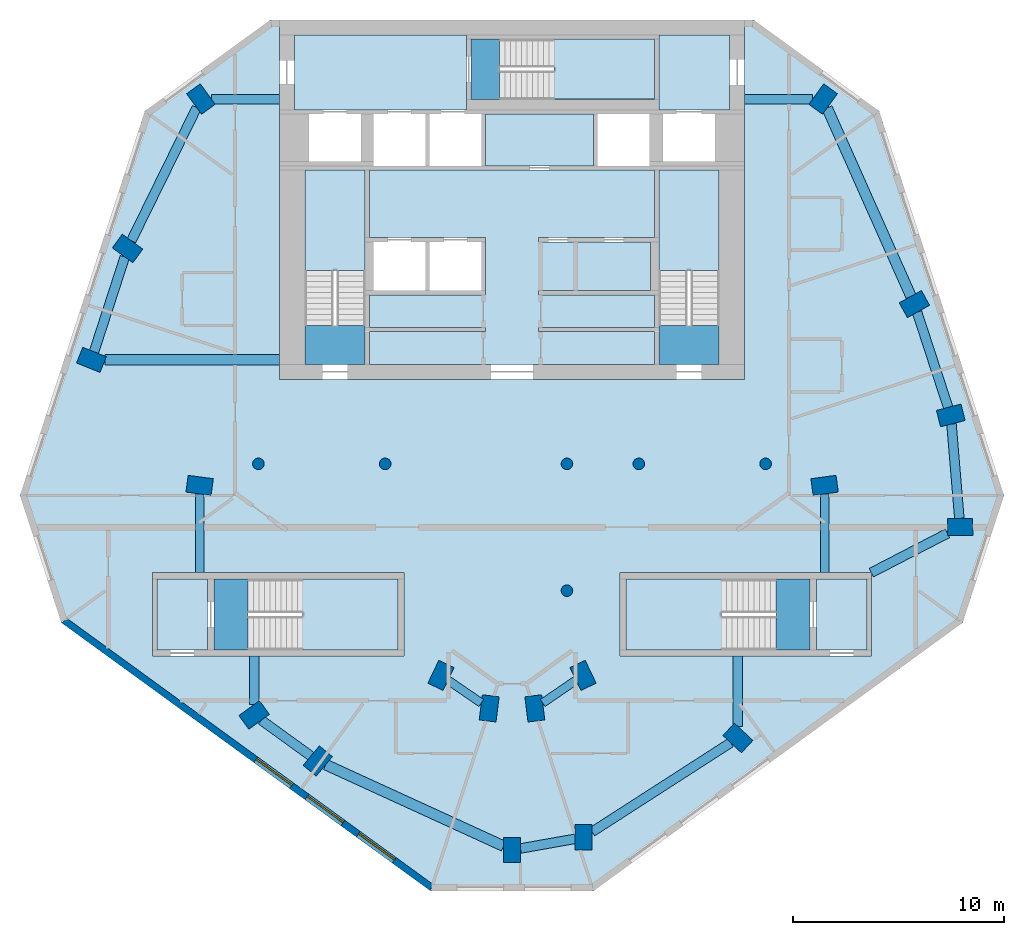
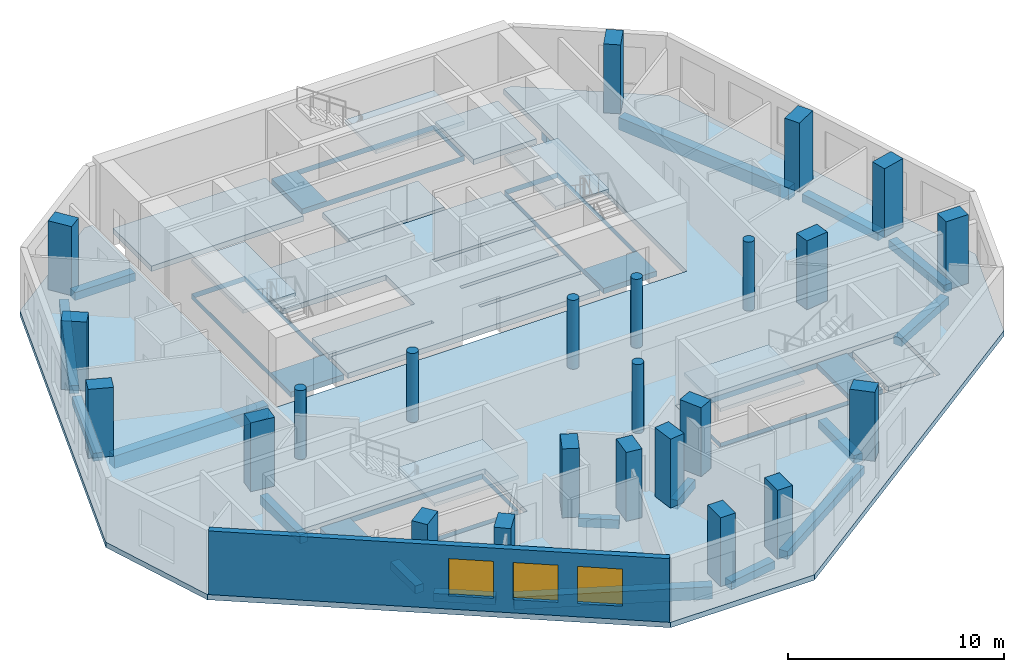
# One storey, part 1 of 8: 24 columns, 19 beams, 17 slabs, 3 windows, 1 wall, 3 openings, 5 elements without a shape of their own.
"""IFC4 building model written with IfcOpenShell, lengths in metres."""

from ifc_helpers import new_model, si_unit, direction, frame, frame_2d, origin, origin_2d, place, context, subcontext, project, spatial, polyline, rectangle, circle, outline, extrude, material, layer, layer_set, material_profile, profile_set, type_object, element, fill, aggregate, save


model = new_model("IFC4")

# Units and contexts
model_context = context("Model", 3, precision=1e-05, world=origin(), true_north=direction((0.0, 1.0)))
body_context = subcontext(model_context, "Body", "Model", "MODEL_VIEW")
ifc_project = project(units=[si_unit("LENGTHUNIT", "METRE"), si_unit("AREAUNIT", "SQUARE_METRE"), si_unit("VOLUMEUNIT", "CUBIC_METRE"), si_unit("PLANEANGLEUNIT", "RADIAN"), si_unit("MASSUNIT", "GRAM", prefix="KILO")], contexts=[model_context])

# Site, building, storey
site_placement = place(None, origin())
site = spatial("IfcSite", under=ifc_project, at=site_placement, CompositionType="ELEMENT")
building_placement = place(site_placement, origin())
building = spatial("IfcBuilding", under=site, at=building_placement, Name="White Candle Pilgrim Tower", CompositionType="ELEMENT")
storey_placement = place(building_placement, frame((0.0, 0.0, 279.5)))
storey = spatial("IfcBuildingStorey", under=building, at=storey_placement, Name="L66", CompositionType="ELEMENT", Elevation=279.5)

# Columns
ifc_material_1 = material(Name="Concrete C60/75", Category="concrete")
ifc_material_profile_1 = material_profile(ifc_material_1, circle(Radius=0.27490234375, at=origin_2d()), Name="RC-COL D550")
ifc_profile_set_1 = profile_set([ifc_material_profile_1], Name="Concrete C60/75")
column_type_1 = type_object("IfcColumnType", Name="Interior column RC-COL D550 C60/75", PredefinedType="COLUMN", material=ifc_profile_set_1)
for number, where, z_axis, x_axis, name in (
    (1, (58.0, 67.0, 0.0), (0.0, 0.0, 1.0), (1.0, 0.0, 0.0), "L66 column I01"),
    (2, (64.0, 67.0, 0.0), (0.0, 0.0, 1.0), (1.0, 0.0, 0.0), "L66 column I02"),
    (3, (72.60009765625, 61.0, 0.0), (0.0, 0.0, 1.0), (1.0, 0.0, 0.0), "L66 column I03"),
    (4, (72.60009765625, 67.0, 0.0), (0.0, 0.0, 1.0), (1.0, 0.0, 0.0), "L66 column I04"),
    (5, (76.0, 67.0, 0.0), (0.0, 0.0, 1.0), (1.0, 0.0, 0.0), "L66 column I05"),
    (6, (82.0, 67.0, 0.0), (0.0, 0.0, 1.0), (1.0, 0.0, 0.0), "L66 column I06"),
):
    element("IfcColumn", number, at=place(storey_placement, frame(where, z_axis=z_axis, x_axis=x_axis)), inside=storey, type_object=column_type_1, Name=name, PredefinedType="COLUMN", context=body_context, shape_type="SweptSolid", body=[
        extrude(circle(Radius=0.27490234375, at=origin_2d()), origin(), (0.0, 0.0, 1.0), 3.89990234375),
    ])
ifc_material_profile_2 = material_profile(ifc_material_1, rectangle(XDim=0.800048828125, YDim=1.199951171875, at=origin_2d()), Name="RC-PR 800x1200")
ifc_profile_set_2 = profile_set([ifc_material_profile_2], Name="Concrete C60/75")
column_type_2 = type_object("IfcColumnType", Name="Perimeter column RC-PR 800x1200 C60/75", PredefinedType="COLUMN", material=ifc_profile_set_2)
for number, where, z_axis, x_axis, name in (
    (7, (57.800048828125, 55.1201171875, 0.0), (0.0, 0.0, 1.0), (-0.58846280644, 0.808524288711, 0.0), "L66 column T01"),
    (8, (60.81005859375, 52.93994140625, 0.0), (0.0, 0.0, 1.0), (-0.769310358735, 0.638875239733, 0.0), "L66 column T02"),
    (9, (70.0, 48.72998046875, 0.0), (0.0, 0.0, 1.0), (-1.0, 0.0, 0.0), "L66 column T03"),
    (10, (73.389892578125, 49.330078125, 0.0), (0.0, 0.0, 1.0), (-1.0, 0.0, 0.0), "L66 column T04"),
    (11, (80.68994140625, 54.030029296875, 0.0), (0.0, 0.0, 1.0), (-0.681998360062, -0.731353701619, 0.0), "L66 column T05"),
    (12, (91.199951171875, 64.02001953125, 0.0), (0.0, 0.0, 1.0), (0.000855211229, -0.999999634307, 0.0), "L66 column T06"),
    (13, (90.760009765625, 69.2900390625, 0.0), (0.0, 0.0, 1.0), (0.246880623275, -0.969045900797, 0.0), "L66 column T07"),
    (14, (89.0400390625, 74.56005859375, 0.0), (0.0, 0.0, 1.0), (0.484809620246, -0.874619707139, 0.0), "L66 column T08"),
    (15, (84.719970703125, 84.260009765625, 0.0), (0.0, 0.0, 1.0), (0.80902725304, -0.587771132193, 0.0), "L66 column T09"),
    (16, (55.280029296875, 84.260009765625, 0.0), (0.0, 0.0, 1.0), (0.80902725304, 0.587771132193, 0.0), "L66 column T10"),
    (17, (51.81005859375, 77.18994140625, 0.0), (0.0, 0.0, 1.0), (0.587107285614, 0.809509132239, 0.0), "L66 column T11"),
    (18, (50.10009765625, 71.919921875, 0.0), (0.0, 0.0, 1.0), (0.369860269472, 0.929087391512, 0.0), "L66 column T12"),
):
    element("IfcColumn", number, at=place(storey_placement, frame(where, z_axis=z_axis, x_axis=x_axis)), inside=storey, type_object=column_type_2, Name=name, PredefinedType="COLUMN", context=body_context, shape_type="SweptSolid", body=[
        extrude(rectangle(XDim=0.800048828125, YDim=1.199951171875, at=origin_2d()), origin(), (0.0, 0.0, 1.0), 3.89990234375),
    ])
ifc_material_profile_3 = material_profile(ifc_material_1, rectangle(XDim=0.800048828125, YDim=1.199951171875, at=origin_2d()), Name="RC-PR 800x1200")
ifc_profile_set_3 = profile_set([ifc_material_profile_3], Name="Concrete C60/75")
column_type_3 = type_object("IfcColumnType", Name="Ring column RC-PR 800x1200 C60/75", PredefinedType="COLUMN", material=ifc_profile_set_3)
for number, where, z_axis, x_axis, name in (
    (19, (66.639892578125, 56.989990234375, 0.0), (0.0, 0.0, 1.0), (-0.901689191761, 0.43238478403, 0.0), "L66 column R01"),
    (20, (68.919921875, 55.429931640625, 0.0), (0.0, 0.0, 1.0), (-0.992092811428, 0.125506388335, 0.0), "L66 column R02"),
    (21, (71.080078125, 55.429931640625, 0.0), (0.0, 0.0, 1.0), (-0.992092811428, -0.125506388335, 0.0), "L66 column R03"),
    (22, (73.360107421875, 56.989990234375, 0.0), (0.0, 0.0, 1.0), (-0.901689191761, -0.43238478403, 0.0), "L66 column R04"),
    (23, (84.7900390625, 65.97998046875, 0.0), (0.0, 0.0, 1.0), (0.132602381688, -0.991169313675, 0.0), "L66 column R05"),
    (24, (55.219970703125, 65.97998046875, 0.0), (0.0, 0.0, 1.0), (0.132602381688, 0.991169313675, 0.0), "L66 column R06"),
):
    element("IfcColumn", number, at=place(storey_placement, frame(where, z_axis=z_axis, x_axis=x_axis)), inside=storey, type_object=column_type_3, Name=name, PredefinedType="COLUMN", context=body_context, shape_type="SweptSolid", body=[
        extrude(rectangle(XDim=0.800048828125, YDim=1.199951171875, at=origin_2d()), origin(), (0.0, 0.0, 1.0), 3.89990234375),
    ])

# Beams
ifc_material_2 = material(Name="Concrete C50/60", Category="concrete")
ifc_material_profile_4 = material_profile(ifc_material_2, rectangle(XDim=0.39990234375, YDim=0.5, at=origin_2d()), Name="RC-BM 400x500")
ifc_profile_set_4 = profile_set([ifc_material_profile_4], Name="Concrete C50/60")
beam_type_1 = type_object("IfcBeamType", Name="Ring beam RC-BM 400x500 C50/60", PredefinedType="BEAM", material=ifc_profile_set_4)
for number, where, z_axis, x_axis, name in (
    (25, (66.97412109375, 56.761474609375, -0.550048828125), (0.825257044892, -0.564757301729, 0.0), (0.564757301729, 0.825257044892, 0.0), "L66 ring beam R01"),
    (26, (71.451171875, 55.683837890625, -0.550048828125), (0.825257044892, 0.564757301729, 0.0), (-0.564757301729, 0.825257044892, 0.0), "L66 ring beam R02"),
):
    element("IfcBeam", number, at=place(storey_placement, frame(where, z_axis=z_axis, x_axis=x_axis)), inside=storey, type_object=beam_type_1, Name=name, PredefinedType="BEAM", context=body_context, shape_type="SweptSolid", body=[
        extrude(rectangle(XDim=0.39990234375, YDim=0.5, at=origin_2d()), origin(), (0.0, 0.0, 1.0), 1.908203125),
    ])
for number, where, z_axis, x_axis, name in (
    (27, (84.7900390625, 65.576416015625, -0.550048828125), (0.0, -1.0, 0.0), (1.0, 0.0, 0.0), "L66 ring beam R03"),
    (28, (55.219970703125, 65.576416015625, -0.550048828125), (0.0, -1.0, 0.0), (1.0, 0.0, 0.0), "L66 ring beam R04"),
):
    element("IfcBeam", number, at=place(storey_placement, frame(where, z_axis=z_axis, x_axis=x_axis)), inside=storey, type_object=beam_type_1, Name=name, PredefinedType="BEAM", context=body_context, shape_type="SweptSolid", body=[
        extrude(rectangle(XDim=0.39990234375, YDim=0.5, at=origin_2d()), origin(), (0.0, 0.0, 1.0), 3.726318359375),
    ])
ifc_material_profile_5 = material_profile(ifc_material_2, rectangle(XDim=0.449951171875, YDim=0.449951171875, at=origin_2d()), Name="RC-BM 450x450")
ifc_profile_set_5 = profile_set([ifc_material_profile_5], Name="Concrete C50/60")
beam_type_2 = type_object("IfcBeamType", Name="Spandrel beam RC-BM 450x450 C50/60", PredefinedType="BEAM", material=ifc_profile_set_5)
beam_1_placement = place(storey_placement, frame((58.140625, 54.873291015625, -0.52490234375), z_axis=(0.809886863982, -0.586586112647, 0.0), x_axis=(0.586586112647, 0.809886863982, 0.0)))
element("IfcBeam", 29, at=beam_1_placement, inside=storey, type_object=beam_type_2, Name="L66 spandrel beam T01", PredefinedType="BEAM", context=body_context, shape_type="SweptSolid", body=[
    extrude(rectangle(XDim=0.449951171875, YDim=0.449951171875, at=origin_2d()), origin(), (0.0, 0.0, 1.0), 2.89501953125),
])
beam_2_placement = place(storey_placement, frame((70.39990234375, 48.80078125, -0.52490234375), z_axis=(0.984690914207, 0.174309504843, 0.0), x_axis=(-0.174309504843, 0.984690914207, 0.0)))
element("IfcBeam", 30, at=beam_2_placement, inside=storey, type_object=beam_type_2, Name="L66 spandrel beam T03", PredefinedType="BEAM", context=body_context, shape_type="SweptSolid", body=[
    extrude(rectangle(XDim=0.449951171875, YDim=0.449951171875, at=origin_2d()), origin(), (0.0, 0.0, 1.0), 2.63037109375),
])
beam_3_placement = place(storey_placement, frame((73.7900390625, 49.58740234375, -0.52490234375), z_axis=(0.840792523654, 0.541357490175, 0.0), x_axis=(-0.541357490175, 0.840792523654, 0.0)))
element("IfcBeam", 31, at=beam_3_placement, inside=storey, type_object=beam_type_2, Name="L66 spandrel beam T04", PredefinedType="BEAM", context=body_context, shape_type="SweptSolid", body=[
    extrude(rectangle(XDim=0.449951171875, YDim=0.449951171875, at=origin_2d()), origin(), (0.0, 0.0, 1.0), 7.793701171875),
])
beam_4_placement = place(storey_placement, frame((80.68994140625, 54.576904296875, -0.52490234375), z_axis=(0.0, 1.0, 0.0), x_axis=(-1.0, 0.0, 0.0)))
element("IfcBeam", 32, at=beam_4_placement, inside=storey, type_object=beam_type_2, Name="L66 spandrel beam T05", PredefinedType="BEAM", context=body_context, shape_type="SweptSolid", body=[
    extrude(rectangle(XDim=0.449951171875, YDim=0.449951171875, at=origin_2d()), origin(), (0.0, 0.0, 1.0), 3.322998046875),
])
beam_5_placement = place(storey_placement, frame((90.600341796875, 63.710205078125, -0.52490234375), z_axis=(-0.888432867753, -0.459006578925, 0.0), x_axis=(0.459006578925, -0.888432867753, 0.0)))
element("IfcBeam", 33, at=beam_5_placement, inside=storey, type_object=beam_type_2, Name="L66 spandrel beam T06", PredefinedType="BEAM", context=body_context, shape_type="SweptSolid", body=[
    extrude(rectangle(XDim=0.449951171875, YDim=0.449951171875, at=origin_2d()), origin(), (0.0, 0.0, 1.0), 4.052490234375),
])
beam_6_placement = place(storey_placement, frame((91.16650390625, 64.419921875, -0.52490234375), z_axis=(-0.083189754962, 0.996533724803, 0.0), x_axis=(-0.996533724803, -0.083189754962, 0.0)))
element("IfcBeam", 34, at=beam_6_placement, inside=storey, type_object=beam_type_2, Name="L66 spandrel beam T07", PredefinedType="BEAM", context=body_context, shape_type="SweptSolid", body=[
    extrude(rectangle(XDim=0.449951171875, YDim=0.449951171875, at=origin_2d()), origin(), (0.0, 0.0, 1.0), 4.4814453125),
])
beam_7_placement = place(storey_placement, frame((90.635498046875, 69.671142578125, -0.52490234375), z_axis=(-0.310235376741, 0.950659776691, 0.0), x_axis=(-0.950659776691, -0.310235376741, 0.0)))
element("IfcBeam", 35, at=beam_7_placement, inside=storey, type_object=beam_type_2, Name="L66 spandrel beam T08", PredefinedType="BEAM", context=body_context, shape_type="SweptSolid", body=[
    extrude(rectangle(XDim=0.449951171875, YDim=0.449951171875, at=origin_2d()), origin(), (0.0, 0.0, 1.0), 4.735107421875),
])
for number, where, z_axis, x_axis, name in (
    (36, (84.2255859375, 84.260009765625, -0.52490234375), (-1.0, 0.0, 0.0), (0.0, -1.0, 0.0), "L66 spandrel beam T10"),
    (37, (55.7744140625, 84.260009765625, -0.52490234375), (1.0, 0.0, 0.0), (0.0, 1.0, 0.0), "L66 spandrel beam T11"),
):
    element("IfcBeam", number, at=place(storey_placement, frame(where, z_axis=z_axis, x_axis=x_axis)), inside=storey, type_object=beam_type_2, Name=name, PredefinedType="BEAM", context=body_context, shape_type="SweptSolid", body=[
        extrude(rectangle(XDim=0.449951171875, YDim=0.449951171875, at=origin_2d()), origin(), (0.0, 0.0, 1.0), 3.2255859375),
    ])
beam_8_placement = place(storey_placement, frame((55.080810546875, 83.853759765625, -0.52490234375), z_axis=(-0.440604884501, -0.897701139441, 0.0), x_axis=(0.897701139441, -0.440604884501, 0.0)))
element("IfcBeam", 38, at=beam_8_placement, inside=storey, type_object=beam_type_2, Name="L66 spandrel beam T12", PredefinedType="BEAM", context=body_context, shape_type="SweptSolid", body=[
    extrude(rectangle(XDim=0.449951171875, YDim=0.449951171875, at=origin_2d()), origin(), (0.0, 0.0, 1.0), 7.01708984375),
])
beam_9_placement = place(storey_placement, frame((51.68017578125, 76.7900390625, -0.52490234375), z_axis=(-0.308643859688, -0.95117767419, 0.0), x_axis=(0.95117767419, -0.308643859688, 0.0)))
element("IfcBeam", 39, at=beam_9_placement, inside=storey, type_object=beam_type_2, Name="L66 spandrel beam T13", PredefinedType="BEAM", context=body_context, shape_type="SweptSolid", body=[
    extrude(rectangle(XDim=0.449951171875, YDim=0.449951171875, at=origin_2d()), origin(), (0.0, 0.0, 1.0), 4.71923828125),
])
beam_10_placement = place(storey_placement, frame((57.800048828125, 55.61474609375, -0.52490234375), z_axis=(0.0, 1.0, 0.0), x_axis=(-1.0, 0.0, 0.0)))
element("IfcBeam", 40, at=beam_10_placement, inside=storey, type_object=beam_type_2, Name="L66 spandrel beam T15", PredefinedType="BEAM", context=body_context, shape_type="SweptSolid", body=[
    extrude(rectangle(XDim=0.449951171875, YDim=0.449951171875, at=origin_2d()), origin(), (0.0, 0.0, 1.0), 2.28515625),
])
ifc_material_profile_6 = material_profile(ifc_material_2, rectangle(XDim=0.5, YDim=0.699951171875, at=origin_2d()), Name="RC-BM 500x700")
ifc_profile_set_6 = profile_set([ifc_material_profile_6], Name="Concrete C50/60")
beam_type_3 = type_object("IfcBeamType", Name="Spandrel beam RC-BM 500x700 C50/60", PredefinedType="BEAM", material=ifc_profile_set_6)
beam_11_placement = place(storey_placement, frame((61.186767578125, 52.767578125, -0.64990234375), z_axis=(0.90913101106, -0.416510269656, 0.0), x_axis=(0.416510269656, 0.90913101106, 0.0)))
element("IfcBeam", 41, at=beam_11_placement, inside=storey, type_object=beam_type_3, Name="L66 spandrel beam T02", PredefinedType="BEAM", context=body_context, shape_type="SweptSolid", body=[
    extrude(rectangle(XDim=0.5, YDim=0.699951171875, at=origin_2d()), origin(), (0.0, 0.0, 1.0), 9.254150390625),
])
beam_12_placement = place(storey_placement, frame((88.876708984375, 74.9267578125, -0.64990234375), z_axis=(-0.406834969126, 0.913501673724, 0.0), x_axis=(-0.913501673724, -0.406834969126, 0.0)))
element("IfcBeam", 42, at=beam_12_placement, inside=storey, type_object=beam_type_3, Name="L66 spandrel beam T09", PredefinedType="BEAM", context=body_context, shape_type="SweptSolid", body=[
    extrude(rectangle(XDim=0.5, YDim=0.699951171875, at=origin_2d()), origin(), (0.0, 0.0, 1.0), 9.755126953125),
])
beam_13_placement = place(storey_placement, frame((50.745849609375, 71.919921875, -0.64990234375), z_axis=(1.0, 0.0, 0.0), x_axis=(0.0, 1.0, 0.0)))
element("IfcBeam", 43, at=beam_13_placement, inside=storey, type_object=beam_type_3, Name="L66 spandrel beam T14", PredefinedType="BEAM", context=body_context, shape_type="SweptSolid", body=[
    extrude(rectangle(XDim=0.5, YDim=0.699951171875, at=origin_2d()), origin(), (0.0, 0.0, 1.0), 8.254150390625),
])

# Slabs
ifc_material_3 = material(Name="Concrete C40/50", Category="concrete")
ifc_layer_1 = layer(ifc_material_3, 0.300048828125)
ifc_layer_set_1 = layer_set([ifc_layer_1], Name="Core floor slab 300 mm Concrete C40/50")
slab_type_1 = type_object("IfcSlabType", Name="Core floor slab 300 mm Concrete C40/50", PredefinedType="FLOOR", material=ifc_layer_set_1)
slab_1_placement = place(storey_placement, frame((0.0, 0.0, -0.300048828125)))
element("IfcSlab", 44, at=slab_1_placement, inside=storey, type_object=slab_type_1, Name="CF-L66-01", PredefinedType="FLOOR", context=body_context, shape_type="SweptSolid", body=[
    extrude(outline(polyline([(55.60009765625, 58.199951171875), (53.199951171875, 58.199951171875), (53.199951171875, 61.550048828125), (55.60009765625, 61.550048828125), (55.60009765625, 58.199951171875)])), origin(), (0.0, 0.0, 1.0), 0.300048828125),
])
slab_2_placement = place(storey_placement, frame((0.0, 0.0, -0.300048828125)))
element("IfcSlab", 45, at=slab_2_placement, inside=storey, type_object=slab_type_1, Name="CF-L66-02", PredefinedType="FLOOR", context=body_context, shape_type="SweptSolid", body=[
    extrude(outline(polyline([(55.89990234375, 58.199951171875), (55.89990234375, 61.550048828125), (64.60009765625, 61.550048828125), (64.60009765625, 58.199951171875), (55.89990234375, 58.199951171875)]), holes=[polyline([(57.501953125, 61.548095703125), (57.501953125, 58.201904296875), (64.597900390625, 58.201904296875), (64.597900390625, 61.548095703125), (57.501953125, 61.548095703125)])]), origin(), (0.0, 0.0, 1.0), 0.300048828125),
])
slab_3_placement = place(storey_placement, frame((0.0, 0.0, -0.300048828125)))
element("IfcSlab", 46, at=slab_3_placement, inside=storey, type_object=slab_type_1, Name="CF-L66-03", PredefinedType="FLOOR", context=body_context, shape_type="SweptSolid", body=[
    extrude(outline(polyline([(75.39990234375, 58.199951171875), (75.39990234375, 61.550048828125), (84.10009765625, 61.550048828125), (84.10009765625, 58.199951171875), (75.39990234375, 58.199951171875)]), holes=[polyline([(82.498046875, 61.548095703125), (75.402099609375, 61.548095703125), (75.402099609375, 58.201904296875), (82.498046875, 58.201904296875), (82.498046875, 61.548095703125)])]), origin(), (0.0, 0.0, 1.0), 0.300048828125),
])
slab_4_placement = place(storey_placement, frame((0.0, 0.0, -0.300048828125)))
element("IfcSlab", 47, at=slab_4_placement, inside=storey, type_object=slab_type_1, Name="CF-L66-04", PredefinedType="FLOOR", context=body_context, shape_type="SweptSolid", body=[
    extrude(outline(polyline([(86.800048828125, 58.199951171875), (84.39990234375, 58.199951171875), (84.39990234375, 61.550048828125), (86.800048828125, 61.550048828125), (86.800048828125, 58.199951171875)])), origin(), (0.0, 0.0, 1.0), 0.300048828125),
])
slab_5_placement = place(storey_placement, frame((0.0, 0.0, -0.300048828125)))
element("IfcSlab", 48, at=slab_5_placement, inside=storey, type_object=slab_type_1, Name="CF-L66-05", PredefinedType="FLOOR", context=body_context, shape_type="SweptSolid", body=[
    extrude(outline(polyline([(76.949951171875, 71.699951171875), (76.949951171875, 73.25), (76.949951171875, 73.449951171875), (76.949951171875, 75.0), (76.949951171875, 75.199951171875), (76.949951171875, 77.5), (76.949951171875, 77.699951171875), (76.949951171875, 80.89990234375), (79.800048828125, 80.89990234375), (79.800048828125, 71.699951171875), (76.949951171875, 71.699951171875)]), holes=[polyline([(76.951904296875, 73.552001953125), (79.798095703125, 73.552001953125), (79.798095703125, 80.89794921875), (76.951904296875, 80.89794921875), (76.951904296875, 73.552001953125)])]), origin(), (0.0, 0.0, 1.0), 0.300048828125),
])
slab_6_placement = place(storey_placement, frame((0.0, 0.0, -0.300048828125)))
element("IfcSlab", 49, at=slab_6_placement, inside=storey, type_object=slab_type_1, Name="CF-L66-06", PredefinedType="FLOOR", context=body_context, shape_type="SweptSolid", body=[
    extrude(outline(polyline([(63.25, 71.699951171875), (63.25, 73.25), (68.75, 73.25), (68.75, 73.449951171875), (63.25, 73.449951171875), (63.25, 75.0), (68.75, 75.0), (68.75, 75.199951171875), (68.75, 77.5), (68.75, 77.699951171875), (63.25, 77.699951171875), (63.25, 80.89990234375), (76.75, 80.89990234375), (76.75, 77.699951171875), (71.25, 77.699951171875), (71.25, 77.5), (76.550048828125, 77.5), (76.550048828125, 75.199951171875), (71.25, 75.199951171875), (71.25, 75.0), (76.75, 75.0), (76.75, 73.449951171875), (71.25, 73.449951171875), (71.25, 73.25), (76.75, 73.25), (76.75, 71.699951171875), (63.25, 71.699951171875)])), origin(), (0.0, 0.0, 1.0), 0.300048828125),
])
slab_7_placement = place(storey_placement, frame((0.0, 0.0, -0.300048828125)))
element("IfcSlab", 50, at=slab_7_placement, inside=storey, type_object=slab_type_1, Name="CF-L66-07", PredefinedType="FLOOR", context=body_context, shape_type="SweptSolid", body=[
    extrude(outline(polyline([(60.199951171875, 71.699951171875), (60.199951171875, 80.89990234375), (63.050048828125, 80.89990234375), (63.050048828125, 77.699951171875), (63.050048828125, 77.5), (63.050048828125, 75.199951171875), (63.050048828125, 75.0), (63.050048828125, 73.449951171875), (63.050048828125, 73.25), (63.050048828125, 71.699951171875), (60.199951171875, 71.699951171875)]), holes=[polyline([(60.201904296875, 73.552001953125), (63.048095703125, 73.552001953125), (63.048095703125, 80.89794921875), (60.201904296875, 80.89794921875), (60.201904296875, 73.552001953125)])]), origin(), (0.0, 0.0, 1.0), 0.300048828125),
])
slab_8_placement = place(storey_placement, frame((0.0, 0.0, -0.300048828125)))
element("IfcSlab", 51, at=slab_8_placement, inside=storey, type_object=slab_type_1, Name="CF-L66-08", PredefinedType="FLOOR", context=body_context, shape_type="SweptSolid", body=[
    extrude(outline(polyline([(59.699951171875, 87.300048828125), (67.85009765625, 87.300048828125), (67.85009765625, 87.10009765625), (67.85009765625, 84.25), (67.85009765625, 83.75), (59.699951171875, 83.75), (59.699951171875, 87.300048828125)])), origin(), (0.0, 0.0, 1.0), 0.300048828125),
])
slab_9_placement = place(storey_placement, frame((0.0, 0.0, -0.300048828125)))
element("IfcSlab", 52, at=slab_9_placement, inside=storey, type_object=slab_type_1, Name="CF-L66-09", PredefinedType="FLOOR", context=body_context, shape_type="SweptSolid", body=[
    extrude(outline(polyline([(80.300048828125, 87.300048828125), (80.300048828125, 83.75), (76.949951171875, 83.75), (76.949951171875, 84.25), (76.949951171875, 87.10009765625), (76.949951171875, 87.300048828125), (80.300048828125, 87.300048828125)])), origin(), (0.0, 0.0, 1.0), 0.300048828125),
])
slab_10_placement = place(storey_placement, frame((0.0, 0.0, -0.300048828125)))
element("IfcSlab", 53, at=slab_10_placement, inside=storey, type_object=slab_type_1, Name="CF-L66-10", PredefinedType="FLOOR", context=body_context, shape_type="SweptSolid", body=[
    extrude(outline(polyline([(68.050048828125, 87.10009765625), (76.75, 87.10009765625), (76.75, 84.25), (68.050048828125, 84.25), (68.050048828125, 87.10009765625)]), holes=[polyline([(69.402099609375, 87.097900390625), (69.402099609375, 84.251953125), (76.748046875, 84.251953125), (76.748046875, 87.097900390625), (69.402099609375, 87.097900390625)])]), origin(), (0.0, 0.0, 1.0), 0.300048828125),
])
slab_11_placement = place(storey_placement, frame((0.0, 0.0, -0.300048828125)))
element("IfcSlab", 54, at=slab_11_placement, inside=storey, type_object=slab_type_1, Name="CF-L66-11", PredefinedType="FLOOR", context=body_context, shape_type="SweptSolid", body=[
    extrude(outline(polyline([(73.85009765625, 83.550048828125), (73.85009765625, 81.10009765625), (68.75, 81.10009765625), (68.75, 83.550048828125), (73.85009765625, 83.550048828125)])), origin(), (0.0, 0.0, 1.0), 0.300048828125),
])
ifc_layer_2 = layer(ifc_material_3, 0.300048828125)
ifc_layer_set_2 = layer_set([ifc_layer_2], Name="Floor slab 300 REI 120")
slab_type_2 = type_object("IfcSlabType", Name="Floor slab 300 REI 120", PredefinedType="FLOOR", material=ifc_layer_set_2)
slab_12_placement = place(storey_placement, frame((0.0, 0.0, -0.300048828125)))
element("IfcSlab", 55, at=slab_12_placement, inside=storey, type_object=slab_type_2, Name="L66 floor slab", PredefinedType="FLOOR", context=body_context, shape_type="SweptSolid", body=[
    extrude(outline(polyline([(66.1484375, 46.79150390625), (73.8515625, 46.79150390625), (91.322021484375, 59.484375), (93.278564453125, 65.506103515625), (87.37060546875, 83.68896484375), (81.43701171875, 88.0), (81.0, 88.0), (81.0, 71.0), (59.0, 71.0), (59.0, 88.0), (58.56298828125, 88.0), (52.62939453125, 83.68896484375), (46.721435546875, 65.506103515625), (48.677978515625, 59.484375), (66.1484375, 46.79150390625)]), holes=[polyline([(53.0, 57.89990234375), (53.0, 61.85009765625), (64.89990234375, 61.85009765625), (64.89990234375, 57.89990234375), (53.0, 57.89990234375)]), polyline([(75.10009765625, 57.89990234375), (75.10009765625, 61.85009765625), (87.0, 61.85009765625), (87.0, 57.89990234375), (75.10009765625, 57.89990234375)])]), origin(), (0.0, 0.0, 1.0), 0.300048828125),
])

# Stair, slab
stair_type_1 = type_object("IfcStairType", Name="Exit stair 1 flight width 1350 mm", PredefinedType="HALF_TURN_STAIR", material=ifc_material_3)
stair_1_placement = place(storey_placement, origin())
stair_1 = element("IfcStair", 56, at=stair_1_placement, inside=storey, type_object=stair_type_1, Name="L66 stair 1", PredefinedType="NOTDEFINED")
ifc_layer_3 = layer(ifc_material_3, 0.199951171875)
ifc_layer_set_3 = layer_set([ifc_layer_3], Name="Stair landing Concrete C40/50")
slab_type_3 = type_object("IfcSlabType", Name="Stair landing Concrete C40/50", PredefinedType="LANDING", material=ifc_layer_set_3)
slab_13_placement = place(storey_placement, frame((0.0, 0.0, 1.75)))
slab_13 = element("IfcSlab", 57, at=slab_13_placement, type_object=slab_type_3, Name="ST1 landing 1", PredefinedType="LANDING", context=body_context, shape_type="SweptSolid", body=[
    extrude(outline(polyline([(63.052001953125, 76.14794921875), (60.197998046875, 76.14794921875), (60.197998046875, 80.902099609375), (63.052001953125, 80.902099609375), (63.052001953125, 76.14794921875)])), origin(), (0.0, 0.0, 1.0), 0.199951171875),
])
aggregate(stair_1, [slab_13])

stair_type_2 = type_object("IfcStairType", Name="Exit stair 2 flight width 1350 mm", PredefinedType="HALF_TURN_STAIR", material=ifc_material_3)
stair_2_placement = place(storey_placement, origin())
stair_2 = element("IfcStair", 58, at=stair_2_placement, inside=storey, type_object=stair_type_2, Name="L66 stair 2", PredefinedType="NOTDEFINED")
slab_14_placement = place(storey_placement, frame((0.0, 0.0, 1.75)))
slab_14 = element("IfcSlab", 59, at=slab_14_placement, type_object=slab_type_3, Name="ST2 landing 1", PredefinedType="LANDING", context=body_context, shape_type="SweptSolid", body=[
    extrude(outline(polyline([(79.802001953125, 76.14794921875), (76.947998046875, 76.14794921875), (76.947998046875, 80.902099609375), (79.802001953125, 80.902099609375), (79.802001953125, 76.14794921875)])), origin(), (0.0, 0.0, 1.0), 0.199951171875),
])
aggregate(stair_2, [slab_14])

stair_type_3 = type_object("IfcStairType", Name="Exit stair 3 flight width 1350 mm", PredefinedType="HALF_TURN_STAIR", material=ifc_material_3)
stair_3_placement = place(storey_placement, origin())
stair_3 = element("IfcStair", 60, at=stair_3_placement, inside=storey, type_object=stair_type_3, Name="L66 stair 3", PredefinedType="NOTDEFINED")
slab_15_placement = place(storey_placement, frame((0.0, 0.0, 1.75)))
slab_15 = element("IfcSlab", 61, at=slab_15_placement, type_object=slab_type_3, Name="ST3 landing 1", PredefinedType="LANDING", context=body_context, shape_type="SweptSolid", body=[
    extrude(outline(polyline([(71.998046875, 84.248046875), (71.998046875, 87.10205078125), (76.751953125, 87.10205078125), (76.751953125, 84.248046875), (71.998046875, 84.248046875)])), origin(), (0.0, 0.0, 1.0), 0.199951171875),
])
aggregate(stair_3, [slab_15])

stair_type_4 = type_object("IfcStairType", Name="Exit stair 4 flight width 1600 mm", PredefinedType="HALF_TURN_STAIR", material=ifc_material_3)
stair_4_placement = place(storey_placement, origin())
stair_4 = element("IfcStair", 62, at=stair_4_placement, inside=storey, type_object=stair_type_4, Name="L66 stair 4", PredefinedType="NOTDEFINED")
slab_16_placement = place(storey_placement, frame((0.0, 0.0, 1.75)))
slab_16 = element("IfcSlab", 63, at=slab_16_placement, type_object=slab_type_3, Name="ST4 landing 1", PredefinedType="LANDING", context=body_context, shape_type="SweptSolid", body=[
    extrude(outline(polyline([(79.902099609375, 61.552001953125), (79.902099609375, 58.197998046875), (75.39794921875, 58.197998046875), (75.39794921875, 61.552001953125), (79.902099609375, 61.552001953125)])), origin(), (0.0, 0.0, 1.0), 0.199951171875),
])
aggregate(stair_4, [slab_16])

stair_type_5 = type_object("IfcStairType", Name="Exit stair 5 flight width 1600 mm", PredefinedType="HALF_TURN_STAIR", material=ifc_material_3)
stair_5_placement = place(storey_placement, origin())
stair_5 = element("IfcStair", 64, at=stair_5_placement, inside=storey, type_object=stair_type_5, Name="L66 stair 5", PredefinedType="NOTDEFINED")
slab_17_placement = place(storey_placement, frame((0.0, 0.0, 1.75)))
slab_17 = element("IfcSlab", 65, at=slab_17_placement, type_object=slab_type_3, Name="ST5 landing 1", PredefinedType="LANDING", context=body_context, shape_type="SweptSolid", body=[
    extrude(outline(polyline([(60.097900390625, 58.197998046875), (60.097900390625, 61.552001953125), (64.60205078125, 61.552001953125), (64.60205078125, 58.197998046875), (60.097900390625, 58.197998046875)])), origin(), (0.0, 0.0, 1.0), 0.199951171875),
])
aggregate(stair_5, [slab_17])

# Wall, openings, windows
ifc_material_4 = material(Name="Precast concrete C40/50", Category="concrete")
ifc_layer_4 = layer(ifc_material_4, 0.320068359375)
ifc_layer_set_4 = layer_set([ifc_layer_4], Name="Facade wall EW1 precast concrete C40/50 pier wall with timber-lined reveals")
wall_type = type_object("IfcWallType", Name="Facade wall EW1 precast concrete C40/50 pier wall with timber-lined reveals", PredefinedType="SOLIDWALL", material=ifc_layer_set_4)
wall_placement = place(storey_placement, frame((48.814208984375, 59.583251953125, 0.0), z_axis=(0.0, 0.0, 1.0), x_axis=(0.809016992157, -0.587785255346, 0.0)))
wall = element("IfcWall", 66, at=wall_placement, inside=storey, type_object=wall_type, Name="Facade wall L66 SW", PredefinedType="SOLIDWALL", context=body_context, shape_type="SweptSolid", body=[
    extrude(rectangle(XDim=21.490478515625, YDim=0.320068359375, at=frame_2d((10.7451171875, 0.0))), origin(), (0.0, 0.0, 1.0), 3.60009765625),
])
opening_1_placement = place(wall_placement, frame((11.1953125, 0.0, 0.75)))
opening_1 = element("IfcOpeningElement", 67, at=opening_1_placement, cuts=wall, Name="Opening W3", PredefinedType="OPENING", context=body_context, shape_type="SweptSolid", body=[
    extrude(rectangle(XDim=2.10009765625, YDim=2.10009765625, at=frame_2d((1.050048828125, 1.050048828125))), frame((0.0, 0.169921875, 0.0), z_axis=(0.0, -1.0, 0.0), x_axis=(1.0, 0.0, 0.0)), (0.0, 0.0, 1.0), 0.340087890625),
])
opening_2_placement = place(wall_placement, frame((14.1953125, 0.0, 0.75)))
opening_2 = element("IfcOpeningElement", 68, at=opening_2_placement, cuts=wall, Name="Opening W3", PredefinedType="OPENING", context=body_context, shape_type="SweptSolid", body=[
    extrude(rectangle(XDim=2.10009765625, YDim=2.10009765625, at=frame_2d((1.050048828125, 1.050048828125))), frame((0.0, 0.169921875, 0.0), z_axis=(0.0, -1.0, 0.0), x_axis=(1.0, 0.0, 0.0)), (0.0, 0.0, 1.0), 0.340087890625),
])
opening_3_placement = place(wall_placement, frame((17.1953125, 0.0, 0.75)))
opening_3 = element("IfcOpeningElement", 69, at=opening_3_placement, cuts=wall, Name="Opening W3", PredefinedType="OPENING", context=body_context, shape_type="SweptSolid", body=[
    extrude(rectangle(XDim=2.10009765625, YDim=2.10009765625, at=frame_2d((1.050048828125, 1.050048828125))), frame((0.0, 0.169921875, 0.0), z_axis=(0.0, -1.0, 0.0), x_axis=(1.0, 0.0, 0.0)), (0.0, 0.0, 1.0), 0.340087890625),
])
ifc_material_5 = material(Name="Timber frame with triple glazing", Category="wood")
window_type = type_object("IfcWindowType", Name="Window W3 2100x2100 timber frame triple glazing", PartitioningType="SINGLE_PANEL", PredefinedType="WINDOW", material=ifc_material_5)
window_1_placement = place(opening_1_placement, origin())
window_1 = element("IfcWindow", 70, at=window_1_placement, inside=storey, type_object=window_type, Name="Window W3 L66 SW 4", OverallHeight=2.10009765625, OverallWidth=2.10009765625, PartitioningType="SINGLE_PANEL", PredefinedType="WINDOW", context=body_context, shape_type="SweptSolid", body=[
    extrude(rectangle(XDim=2.10009765625, YDim=2.10009765625, at=frame_2d((1.050048828125, 1.050048828125))), frame((0.0, 0.070068359375, 0.0), z_axis=(0.0, -1.0, 0.0), x_axis=(1.0, 0.0, 0.0)), (0.0, 0.0, 1.0), 0.06005859375),
])
fill(opening_1, window_1)
window_2_placement = place(opening_2_placement, origin())
window_2 = element("IfcWindow", 71, at=window_2_placement, inside=storey, type_object=window_type, Name="Window W3 L66 SW 5", OverallHeight=2.10009765625, OverallWidth=2.10009765625, PartitioningType="SINGLE_PANEL", PredefinedType="WINDOW", context=body_context, shape_type="SweptSolid", body=[
    extrude(rectangle(XDim=2.10009765625, YDim=2.10009765625, at=frame_2d((1.050048828125, 1.050048828125))), frame((0.0, 0.070068359375, 0.0), z_axis=(0.0, -1.0, 0.0), x_axis=(1.0, 0.0, 0.0)), (0.0, 0.0, 1.0), 0.06005859375),
])
fill(opening_2, window_2)
window_3_placement = place(opening_3_placement, origin())
window_3 = element("IfcWindow", 72, at=window_3_placement, inside=storey, type_object=window_type, Name="Window W3 L66 SW 6", OverallHeight=2.10009765625, OverallWidth=2.10009765625, PartitioningType="SINGLE_PANEL", PredefinedType="WINDOW", context=body_context, shape_type="SweptSolid", body=[
    extrude(rectangle(XDim=2.10009765625, YDim=2.10009765625, at=frame_2d((1.050048828125, 1.050048828125))), frame((0.0, 0.070068359375, 0.0), z_axis=(0.0, -1.0, 0.0), x_axis=(1.0, 0.0, 0.0)), (0.0, 0.0, 1.0), 0.06005859375),
])
fill(opening_3, window_3)

save(model, "model.ifc")
